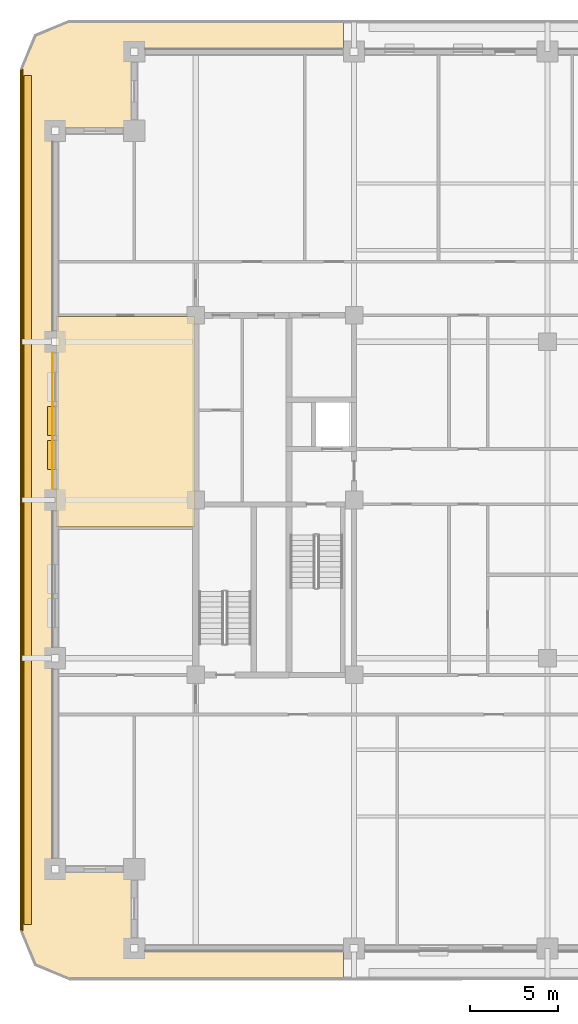
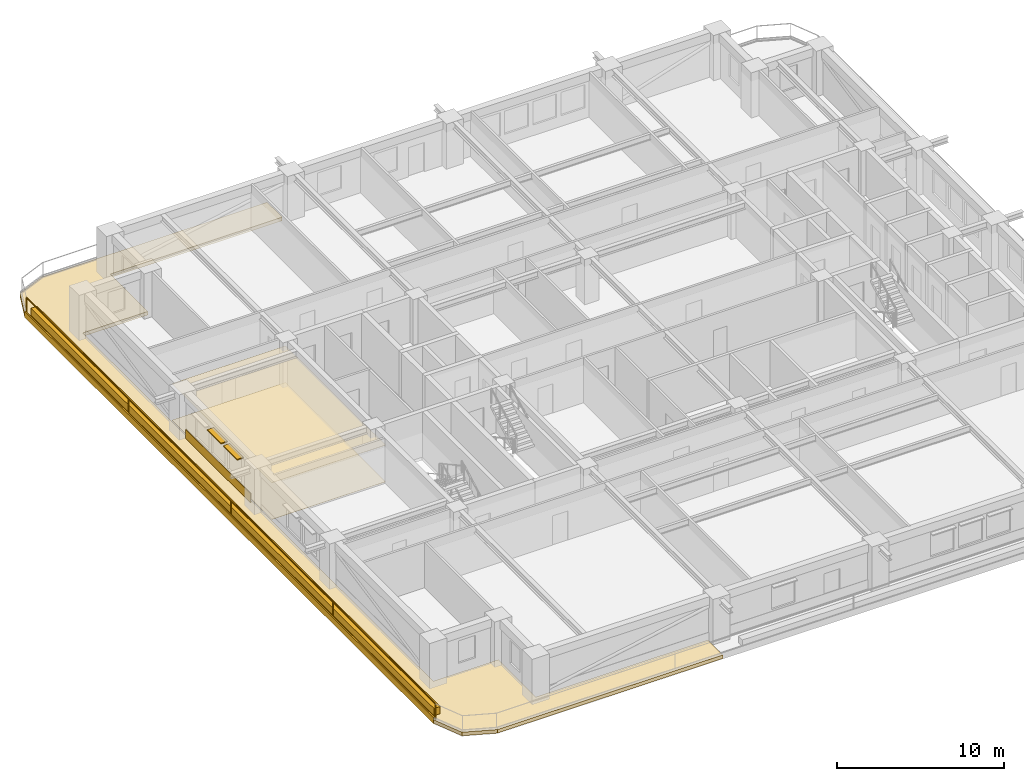
# One storey, part 10 of 15: 6 coverings, 2 shading devices, 1 railing.
"""IFC4 building model written with IfcOpenShell, lengths in metres."""

from ifc_helpers import new_model, si_unit, direction, frame, frame_2d, origin, origin_2d, place, context, subcontext, project, spatial, polyline, rectangle, outline, extrude, material, layer, layer_set, type_object, element, save


model = new_model("IFC4")

# Units and contexts
model_context = context("Model", 3, precision=1e-05, world=origin(), true_north=direction((0.0, 1.0)))
body_context = subcontext(model_context, "Body", "Model", "MODEL_VIEW")
ifc_project = project(units=[si_unit("LENGTHUNIT", "METRE"), si_unit("AREAUNIT", "SQUARE_METRE"), si_unit("VOLUMEUNIT", "CUBIC_METRE"), si_unit("PLANEANGLEUNIT", "RADIAN"), si_unit("MASSUNIT", "GRAM", prefix="KILO")], contexts=[model_context])

# Site, building, storey
site_placement = place(None, origin())
site = spatial("IfcSite", under=ifc_project, at=site_placement, CompositionType="ELEMENT")
building_placement = place(site_placement, origin())
building = spatial("IfcBuilding", under=site, at=building_placement, Name="Zulmaris Gate Convention Tower", CompositionType="ELEMENT")
storey_placement = place(building_placement, frame((0.0, 0.0, 128.48974609375)))
storey = spatial("IfcBuildingStorey", under=building, at=storey_placement, Name="L32", CompositionType="ELEMENT", Elevation=128.48974609375)

# Coverings
ifc_material_1 = material(Name="Precast concrete C40/50", Category="concrete")
ifc_layer_1 = layer(ifc_material_1, 0.0400390625, Name="Precast concrete C40/50")
ifc_layer_set_1 = layer_set([ifc_layer_1], Name="Precast concrete C40/50")
covering_type_1 = type_object("IfcCoveringType", Name="CLAD-SPANDREL-PRECAST", PredefinedType="CLADDING", material=ifc_layer_set_1)
covering_1_placement = place(storey_placement, frame((-28.14990234375, 8.3701171875, 0.0), z_axis=(0.0, 0.0, 1.0), x_axis=(0.0, -1.0, 0.0)))
element("IfcCovering", 1, at=covering_1_placement, inside=storey, type_object=covering_type_1, Name="CLD-L32-W-2_0", PredefinedType="CLADDING", context=body_context, shape_type="SweptSolid", body=[
    extrude(rectangle(XDim=7.740234375, YDim=0.0400390625, at=frame_2d((3.8701171875, 0.0))), origin(), (0.0, 0.0, 1.0), 0.679931640625),
])
ifc_material_2 = material(Name="White Glazed Architectural Precast Concrete C40/50", Category="concrete")
ifc_layer_2 = layer(ifc_material_2, 0.239990234375, Name="White Glazed Architectural Precast Concrete C40/50")
ifc_layer_set_2 = layer_set([ifc_layer_2], Name="White Glazed Architectural Precast Concrete C40/50")
covering_type_2 = type_object("IfcCoveringType", Name="CLAD-TRAY-DECK", PredefinedType="CLADDING", material=ifc_layer_set_2)
covering_2_placement = place(storey_placement, frame((0.0, 0.0, -0.25)))
element("IfcCovering", 2, at=covering_2_placement, inside=storey, type_object=covering_type_2, Name="L32 West Rounded-Fascia Planter Tray Deck", PredefinedType="CLADDING", context=body_context, shape_type="SweptSolid", body=[
    extrude(outline(polyline([(-30.0, 24.5), (-29.179931640625, 26.47998046875), (-27.199951171875, 27.300048828125), (-11.60205078125, 27.300048828125), (-11.60205078125, 25.5), (-23.5, 25.5), (-23.5, 21.0), (-28.0, 21.0), (-28.0, -21.0), (-23.5, -21.0), (-23.5, -25.5), (-11.60205078125, -25.5), (-11.60205078125, -27.300048828125), (-27.199951171875, -27.300048828125), (-29.179931640625, -26.47998046875), (-30.0, -24.5), (-30.0, 24.5)])), origin(), (0.0, 0.0, 1.0), 0.260009765625),
])
ifc_layer_3 = layer(ifc_material_2, 0.080078125, Name="White Glazed Architectural Precast Concrete C40/50")
ifc_layer_set_3 = layer_set([ifc_layer_3], Name="White Glazed Architectural Precast Concrete C40/50")
covering_type_3 = type_object("IfcCoveringType", Name="CLAD-TRAY-FASCIA", PredefinedType="CLADDING", material=ifc_layer_set_3)
covering_3_placement = place(storey_placement, frame((-29.9599609375, 24.5, -0.2900390625), z_axis=(0.0, 0.0, 1.0), x_axis=(0.0, -1.0, 0.0)))
element("IfcCovering", 3, at=covering_3_placement, inside=storey, type_object=covering_type_3, Name="FSC-L32-TR-11", PredefinedType="CLADDING", context=body_context, shape_type="SweptSolid", body=[
    extrude(rectangle(XDim=49.0, YDim=0.080078125, at=frame_2d((24.5, 0.0))), origin(), (0.0, 0.0, 1.0), 0.4599609375),
])
ifc_material_3 = material(Name="Mineral Fibre Acoustic Ceiling Tile")
ifc_layer_4 = layer(ifc_material_3, 0.02001953125, Name="Mineral Fibre Acoustic Ceiling Tile")
ifc_layer_set_4 = layer_set([ifc_layer_4], Name="Mineral Fibre Acoustic Ceiling Tile")
covering_type_4 = type_object("IfcCoveringType", Name="CLG-ACOUSTIC-600", PredefinedType="CEILING", material=ifc_layer_set_4)
covering_4_placement = place(storey_placement, frame((0.0, 0.0, 2.68017578125)))
element("IfcCovering", 4, at=covering_4_placement, inside=storey, type_object=covering_type_4, Name="CLG-L32-R50", PredefinedType="CEILING", context=body_context, shape_type="SweptSolid", body=[
    extrude(outline(polyline([(-27.93994140625, -1.5400390625), (-20.06005859375, -1.5400390625), (-20.06005859375, 10.43994140625), (-27.93994140625, 10.43994140625), (-27.93994140625, -1.5400390625)])), origin(), (0.0, 0.0, 1.0), 0.019775390625),
])
ifc_material_4 = material(Name="Woven Acoustic Wool Carpet Tile")
ifc_layer_5 = layer(ifc_material_4, 0.02001953125, Name="Woven Acoustic Wool Carpet Tile")
ifc_layer_set_5 = layer_set([ifc_layer_5], Name="Woven Acoustic Wool Carpet Tile")
covering_type_5 = type_object("IfcCoveringType", Name="FLR-CARPET-12", PredefinedType="FLOORING", material=ifc_layer_set_5)
covering_5_placement = place(storey_placement, origin())
element("IfcCovering", 5, at=covering_5_placement, inside=storey, type_object=covering_type_5, Name="FLR-L32-R50", PredefinedType="FLOORING", context=body_context, shape_type="SweptSolid", body=[
    extrude(outline(polyline([(-27.93994140625, -1.5400390625), (-20.06005859375, -1.5400390625), (-20.06005859375, 10.43994140625), (-27.93994140625, 10.43994140625), (-27.93994140625, -1.5400390625)])), origin(), (0.0, 0.0, 1.0), 0.02001953125),
])
ifc_material_5 = material(Name="Botanical Green Glazed Precast Concrete C40/50", Category="concrete")
ifc_layer_6 = layer(ifc_material_5, 0.419921875, Name="Botanical Green Glazed Precast Concrete C40/50")
ifc_layer_set_6 = layer_set([ifc_layer_6], Name="Botanical Green Glazed Precast Concrete C40/50")
covering_type_6 = type_object("IfcCoveringType", Name="PLANTER-BOX-200", PredefinedType="CLADDING", material=ifc_layer_set_6)
covering_6_placement = place(storey_placement, frame((0.0, 0.0, 0.010009765625)))
element("IfcCovering", 6, at=covering_6_placement, inside=storey, type_object=covering_type_6, Name="L32 W Full-Length Balcony Tree Planter Trough", PredefinedType="CLADDING", context=body_context, shape_type="SweptSolid", body=[
    extrude(outline(polyline([(-29.760009765625, -24.14990234375), (-29.340087890625, -24.14990234375), (-29.340087890625, 24.14990234375), (-29.760009765625, 24.14990234375), (-29.760009765625, -24.14990234375)])), origin(), (0.0, 0.0, 1.0), 0.52001953125),
])

# Railing
ifc_material_6 = material(Name="Laminated Glass and Stainless Steel", Category="steel")
railing_type = type_object("IfcRailingType", Name="RL-BALC-1150", PredefinedType="BALUSTRADE", material=ifc_material_6)
railing_placement = place(storey_placement, frame((-29.8798828125, 24.5, 0.010009765625)))
element("IfcRailing", 7, at=railing_placement, inside=storey, type_object=railing_type, Name="RL-L32-BALC-W", PredefinedType="BALUSTRADE", context=body_context, shape_type="SweptSolid", body=[
    extrude(rectangle(XDim=0.048095703125, YDim=0.048095703125, at=origin_2d()), frame((0.0, 0.0, 1.1259765625), z_axis=(0.0, -1.0, 0.0), x_axis=(1.0, 0.0, 0.0)), (0.0, 0.0, 1.0), 49.0),
    extrude(rectangle(XDim=0.048095703125, YDim=0.048095703125, at=origin_2d()), frame((0.0, 0.0, 0.02392578125), z_axis=(0.0, -1.0, 0.0), x_axis=(1.0, 0.0, 0.0)), (0.0, 0.0, 1.0), 49.0),
    extrude(rectangle(XDim=0.0419921875, YDim=0.0419921875, at=origin_2d()), origin(), (0.0, 0.0, 1.0), 1.101806640625),
    extrude(rectangle(XDim=0.0419921875, YDim=0.0419921875, at=origin_2d()), frame((0.0, -12.25, 0.0)), (0.0, 0.0, 1.0), 1.101806640625),
    extrude(rectangle(XDim=0.0419921875, YDim=0.0419921875, at=origin_2d()), frame((0.0, -24.5, 0.0)), (0.0, 0.0, 1.0), 1.101806640625),
    extrude(rectangle(XDim=0.0419921875, YDim=0.0419921875, at=origin_2d()), frame((0.0, -36.75, 0.0)), (0.0, 0.0, 1.0), 1.101806640625),
    extrude(rectangle(XDim=0.0419921875, YDim=0.0419921875, at=origin_2d()), frame((0.0, -49.0, 0.0)), (0.0, 0.0, 1.0), 1.101806640625),
])

# Shading devices
ifc_material_7 = material(Name="Glazed Ceramic Terracotta", Category="masonry")
ifc_layer_7 = layer(ifc_material_7, 0.070068359375, Name="Glazed Ceramic Terracotta")
ifc_layer_set_7 = layer_set([ifc_layer_7], Name="Glazed Ceramic Terracotta")
shading_device_type = type_object("IfcShadingDeviceType", Name="SHD-SUNSHADE-TC", PredefinedType="AWNING", material=ifc_layer_set_7)
for number, where, z_axis, x_axis, name in (
    (8, (-28.219970703125, 5.324951171875, 2.530029296875), (0.0, 0.0, 1.0), (0.0, -1.0, 0.0), "SHD-EW-L32-W-2_0-2"),
    (9, (-28.219970703125, 3.389892578125, 2.530029296875), (0.0, 0.0, 1.0), (0.0, -1.0, 0.0), "SHD-EW-L32-W-2_0-3"),
):
    element("IfcShadingDevice", number, at=place(storey_placement, frame(where, z_axis=z_axis, x_axis=x_axis)), inside=storey, type_object=shading_device_type, Name=name, PredefinedType="AWNING", context=body_context, shape_type="SweptSolid", body=[
        extrude(rectangle(XDim=1.64990234375, YDim=0.43994140625, at=frame_2d((0.824951171875, 0.0))), origin(), (0.0, 0.0, 1.0), 0.06982421875),
    ])

save(model, "model.ifc")
